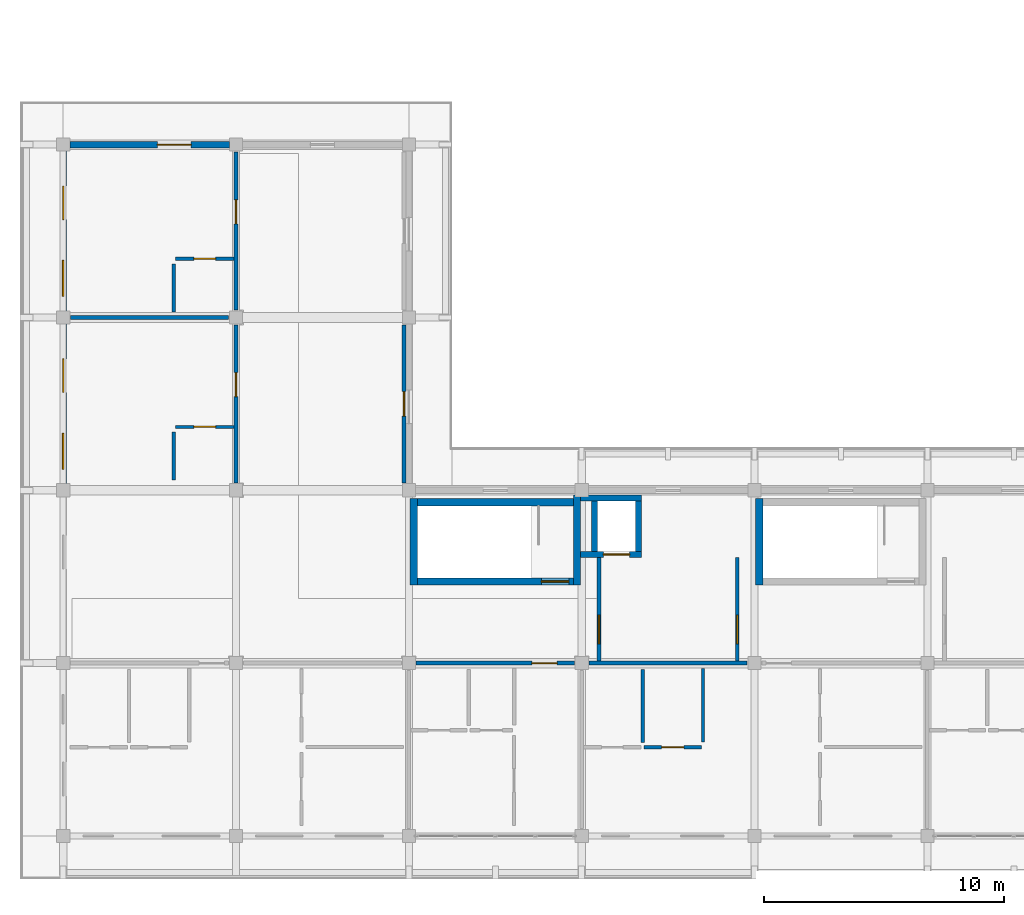
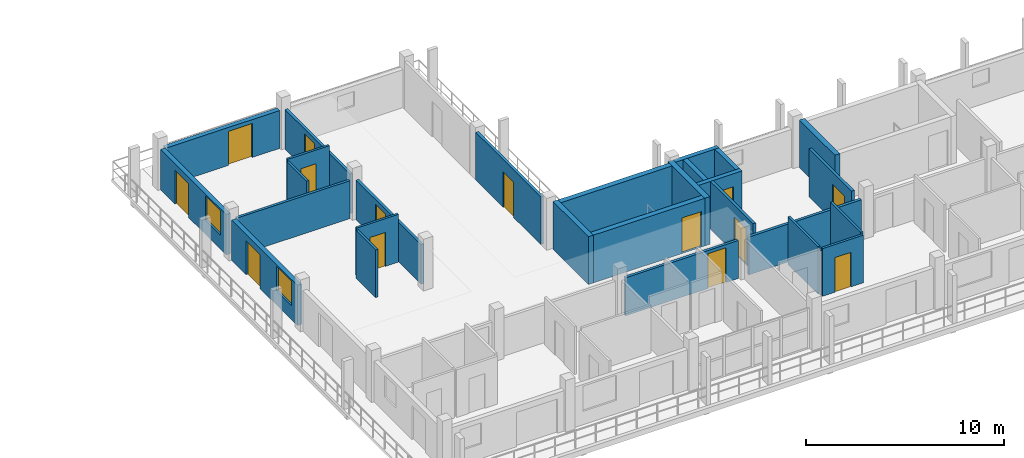
# One storey, part 35 of 65: 27 walls, 14 doors, 2 windows, 16 openings.
"""IFC4 building model written with IfcOpenShell, lengths in metres."""

from ifc_helpers import new_model, si_unit, direction, frame, frame_2d, origin, place, context, subcontext, project, spatial, rectangle, extrude, material, layer, layer_set, type_object, element, fill, save


model = new_model("IFC4")

# Units and contexts
model_context = context("Model", 3, precision=1e-05, world=origin(), true_north=direction((0.0, 1.0)))
body_context = subcontext(model_context, "Body", "Model", "MODEL_VIEW")
ifc_project = project(units=[si_unit("LENGTHUNIT", "METRE"), si_unit("AREAUNIT", "SQUARE_METRE"), si_unit("VOLUMEUNIT", "CUBIC_METRE"), si_unit("PLANEANGLEUNIT", "RADIAN"), si_unit("MASSUNIT", "GRAM", prefix="KILO")], contexts=[model_context])

# Site, building, storey
site_placement = place(None, origin())
site = spatial("IfcSite", under=ifc_project, at=site_placement, CompositionType="ELEMENT")
building_placement = place(site_placement, origin())
building = spatial("IfcBuilding", under=site, at=building_placement, Name="Suanplinth Sawtooth Commons", CompositionType="ELEMENT")
storey_placement = place(building_placement, frame((0.0, 0.0, 28.300048828125)))
storey = spatial("IfcBuildingStorey", under=building, at=storey_placement, Name="L08", CompositionType="ELEMENT", Elevation=28.300048828125)

# Wall, opening, door
ifc_material_1 = material(Name="Concrete C40/50", Category="concrete")
ifc_layer_1 = layer(ifc_material_1, 0.300048828125, Name="Standard RC stair and lift core wall 300mm")
ifc_layer_set_1 = layer_set([ifc_layer_1], Name="Concrete C40/50")
wall_type_1 = type_object("IfcWallType", Name="W-CR02", PredefinedType="SHEAR", material=ifc_layer_set_1)
wall_1_placement = place(storey_placement, frame((14.75, 10.60009765625, 0.0), z_axis=(0.0, 0.0, 1.0), x_axis=(1.0, 0.0, 0.0)))
wall_1 = element("IfcWall", 1, at=wall_1_placement, inside=storey, type_object=wall_type_1, Name="W-L08-C-D1-STS", PredefinedType="SHEAR", context=body_context, shape_type="SweptSolid", body=[
    extrude(rectangle(XDim=6.5, YDim=0.300048828125, at=frame_2d((3.25, 0.0))), origin(), (0.0, 0.0, 1.0), 2.949951171875),
])
opening_1_placement = place(wall_1_placement, frame((5.169921875, 0.0, 0.0)))
opening_1 = element("IfcOpeningElement", 2, at=opening_1_placement, cuts=wall_1, Name="Opening FD0393", PredefinedType="OPENING", context=body_context, shape_type="SweptSolid", body=[
    extrude(rectangle(XDim=1.14990234375, YDim=2.199951171875, at=frame_2d((0.574951171875, 1.10009765625))), frame((0.0, 0.1650390625, 0.0), z_axis=(0.0, -1.0, 0.0), x_axis=(1.0, 0.0, 0.0)), (0.0, 0.0, 1.0), 0.329833984375),
])
ifc_material_2 = material(Name="Teak hardwood fire-rated door assembly", Category="wood")
door_type_1 = type_object("IfcDoorType", Name="FD-01", OperationType="NOTDEFINED", PredefinedType="DOOR", material=ifc_material_2)
door_1_placement = place(opening_1_placement, origin())
door_1 = element("IfcDoor", 3, at=door_1_placement, inside=storey, type_object=door_type_1, Name="Exit Stair Fire Door FD0393", OperationType="SINGLE_SWING_LEFT", OverallHeight=2.199951171875, OverallWidth=1.14990234375, PredefinedType="DOOR", context=body_context, shape_type="SweptSolid", body=[
    extrude(rectangle(XDim=1.14990234375, YDim=2.199951171875, at=frame_2d((0.574951171875, 1.10009765625))), frame((0.0, 0.02490234375, 0.0), z_axis=(0.0, -1.0, 0.0), x_axis=(1.0, 0.0, 0.0)), (0.0, 0.0, 1.0), 0.050048828125),
])
fill(opening_1, door_1)

# Walls
wall_2_placement = place(storey_placement, frame((14.75, 13.89990234375, 0.0), z_axis=(0.0, 0.0, 1.0), x_axis=(1.0, 0.0, 0.0)))
element("IfcWall", 4, at=wall_2_placement, inside=storey, type_object=wall_type_1, Name="W-L08-C-D1-STN", PredefinedType="SHEAR", context=body_context, shape_type="SweptSolid", body=[
    extrude(rectangle(XDim=6.5, YDim=0.300048828125, at=frame_2d((3.25, 0.0))), origin(), (0.0, 0.0, 1.0), 2.949951171875),
])
wall_3_placement = place(storey_placement, frame((14.60009765625, 10.449951171875, 0.0), z_axis=(0.0, 0.0, 1.0), x_axis=(0.0, 1.0, 0.0)))
element("IfcWall", 5, at=wall_3_placement, inside=storey, type_object=wall_type_1, Name="W-L08-C-D1-STW", PredefinedType="SHEAR", context=body_context, shape_type="SweptSolid", body=[
    extrude(rectangle(XDim=3.60009765625, YDim=0.300048828125, at=frame_2d((1.800048828125, 0.0))), origin(), (0.0, 0.0, 1.0), 2.949951171875),
])
wall_4_placement = place(storey_placement, frame((21.39990234375, 10.449951171875, 0.0), z_axis=(0.0, 0.0, 1.0), x_axis=(0.0, 1.0, 0.0)))
element("IfcWall", 6, at=wall_4_placement, inside=storey, type_object=wall_type_1, Name="W-L08-C-D1-STE", PredefinedType="SHEAR", context=body_context, shape_type="SweptSolid", body=[
    extrude(rectangle(XDim=3.75, YDim=0.300048828125, at=frame_2d((1.875, 0.0))), origin(), (0.0, 0.0, 1.0), 2.949951171875),
])
wall_5_placement = place(storey_placement, frame((29.0, 10.449951171875, 0.0), z_axis=(0.0, 0.0, 1.0), x_axis=(0.0, 1.0, 0.0)))
element("IfcWall", 7, at=wall_5_placement, inside=storey, type_object=wall_type_1, Name="W-L08-C-D2-STW", PredefinedType="SHEAR", context=body_context, shape_type="SweptSolid", body=[
    extrude(rectangle(XDim=3.60009765625, YDim=0.300048828125, at=frame_2d((1.800048828125, 0.0))), origin(), (0.0, 0.0, 1.0), 2.949951171875),
])

# Wall, openings, door, window
ifc_material_3 = material(Name="Precast concrete C40/50", Category="concrete")
ifc_layer_2 = layer(ifc_material_3, 0.260009765625, Name="Insulated precast courtyard facade wall 260mm")
ifc_layer_set_2 = layer_set([ifc_layer_2], Name="Precast concrete C40/50")
wall_type_2 = type_object("IfcWallType", Name="W-EX02", PredefinedType="ELEMENTEDWALL", material=ifc_layer_set_2)
wall_6_placement = place(storey_placement, frame((0.0, 14.675048828125, 0.0), z_axis=(0.0, 0.0, 1.0), x_axis=(0.0, 1.0, 0.0)))
wall_6 = element("IfcWall", 8, at=wall_6_placement, inside=storey, type_object=wall_type_2, Name="Facade Wall W-L08-D-W-0-2", PredefinedType="ELEMENTEDWALL", context=body_context, shape_type="SweptSolid", body=[
    extrude(rectangle(XDim=6.64990234375, YDim=0.260009765625, at=frame_2d((3.324951171875, 0.0))), origin(), (0.0, 0.0, 1.0), 2.494873046875),
])
opening_2_placement = place(wall_6_placement, frame((3.800048828125, 0.0, 0.0)))
opening_2 = element("IfcOpeningElement", 9, at=opening_2_placement, cuts=wall_6, Name="Opening ED0677", PredefinedType="OPENING", context=body_context, shape_type="SweptSolid", body=[
    extrude(rectangle(XDim=1.39990234375, YDim=2.10009765625, at=frame_2d((0.699951171875, 1.050048828125))), frame((0.0, 0.14501953125, 0.0), z_axis=(0.0, -1.0, 0.0), x_axis=(1.0, 0.0, 0.0)), (0.0, 0.0, 1.0), 0.289794921875),
])
opening_3_placement = place(wall_6_placement, frame((0.60009765625, 0.0, 0.8798828125)))
opening_3 = element("IfcOpeningElement", 10, at=opening_3_placement, cuts=wall_6, Name="Opening W0758", PredefinedType="OPENING", context=body_context, shape_type="SweptSolid", body=[
    extrude(rectangle(XDim=1.5, YDim=1.5, at=frame_2d((0.75, 0.75))), frame((0.0, 0.14501953125, 0.0), z_axis=(0.0, -1.0, 0.0), x_axis=(1.0, 0.0, 0.0)), (0.0, 0.0, 1.0), 0.289794921875),
])
ifc_material_4 = material(Name="Anodized aluminium and low-E glass", Category="aluminium")
door_type_2 = type_object("IfcDoorType", Name="SD-07", OperationType="SLIDING_TO_RIGHT", PredefinedType="DOOR", material=ifc_material_4)
door_2_placement = place(opening_2_placement, frame((1.39990234375, 0.0, 0.0), z_axis=(0.0, 0.0, 1.0), x_axis=(-1.0, 0.0, 0.0)))
door_2 = element("IfcDoor", 11, at=door_2_placement, inside=storey, type_object=door_type_2, Name="Wing Balcony Sliding Door L08-D-2", OperationType="SLIDING_TO_RIGHT", OverallHeight=2.10009765625, OverallWidth=1.39990234375, PredefinedType="DOOR", context=body_context, shape_type="SweptSolid", body=[
    extrude(rectangle(XDim=1.39990234375, YDim=2.10009765625, at=frame_2d((0.699951171875, 1.050048828125))), frame((0.0, 0.02490234375, 0.0), z_axis=(0.0, -1.0, 0.0), x_axis=(1.0, 0.0, 0.0)), (0.0, 0.0, 1.0), 0.050048828125),
])
fill(opening_2, door_2)
ifc_material_5 = material(Name="Thermally broken aluminium and low-E double glazing", Category="aluminium")
window_type = type_object("IfcWindowType", Name="WN-02", PartitioningType="DOUBLE_PANEL_VERTICAL", PredefinedType="WINDOW", material=ifc_material_5)
window_1_placement = place(opening_3_placement, origin())
window_1 = element("IfcWindow", 12, at=window_1_placement, inside=storey, type_object=window_type, Name="Wing Window L08-D-2", OverallHeight=1.5, OverallWidth=1.5, PartitioningType="DOUBLE_PANEL_VERTICAL", PredefinedType="WINDOW", context=body_context, shape_type="SweptSolid", body=[
    extrude(rectangle(XDim=1.5, YDim=1.5, at=frame_2d((0.75, 0.75))), frame((0.0, 0.030029296875, 0.0), z_axis=(0.0, -1.0, 0.0), x_axis=(1.0, 0.0, 0.0)), (0.0, 0.0, 1.0), 0.06005859375),
])
fill(opening_3, window_1)

# Wall, opening, door
wall_7_placement = place(storey_placement, frame((0.27490234375, 28.800048828125, 0.0), z_axis=(0.0, 0.0, 1.0), x_axis=(1.0, 0.0, 0.0)))
wall_7 = element("IfcWall", 13, at=wall_7_placement, inside=storey, type_object=wall_type_2, Name="Facade Wall W-L08-D-N-0-3", PredefinedType="ELEMENTEDWALL", context=body_context, shape_type="SweptSolid", body=[
    extrude(rectangle(XDim=6.650146484375, YDim=0.260009765625, at=frame_2d((3.3251953125, 0.0))), origin(), (0.0, 0.0, 1.0), 2.344970703125),
])
opening_4_placement = place(wall_7_placement, frame((3.64990234375, 0.0, 0.0)))
opening_4 = element("IfcOpeningElement", 14, at=opening_4_placement, cuts=wall_7, Name="Opening ED0678", PredefinedType="OPENING", context=body_context, shape_type="SweptSolid", body=[
    extrude(rectangle(XDim=1.39990234375, YDim=2.10009765625, at=frame_2d((0.699951171875, 1.050048828125))), frame((0.0, 0.14501953125, 0.0), z_axis=(0.0, -1.0, 0.0), x_axis=(1.0, 0.0, 0.0)), (0.0, 0.0, 1.0), 0.289794921875),
])
door_3_placement = place(opening_4_placement, frame((1.39990234375, 0.0, 0.0), z_axis=(0.0, 0.0, 1.0), x_axis=(-1.0, 0.0, 0.0)))
door_3 = element("IfcDoor", 15, at=door_3_placement, inside=storey, type_object=door_type_2, Name="End Balcony Sliding Door L08-D-N-0-3", OperationType="SLIDING_TO_RIGHT", OverallHeight=2.10009765625, OverallWidth=1.39990234375, PredefinedType="DOOR", context=body_context, shape_type="SweptSolid", body=[
    extrude(rectangle(XDim=1.39990234375, YDim=2.10009765625, at=frame_2d((0.699951171875, 1.050048828125))), frame((0.0, 0.02490234375, 0.0), z_axis=(0.0, -1.0, 0.0), x_axis=(1.0, 0.0, 0.0)), (0.0, 0.0, 1.0), 0.050048828125),
])
fill(opening_4, door_3)

# Wall, openings, door, window
wall_8_placement = place(storey_placement, frame((0.0, 21.875, 0.0), z_axis=(0.0, 0.0, 1.0), x_axis=(0.0, 1.0, 0.0)))
wall_8 = element("IfcWall", 16, at=wall_8_placement, inside=storey, type_object=wall_type_2, Name="Facade Wall W-L08-D-W-0-3", PredefinedType="ELEMENTEDWALL", context=body_context, shape_type="SweptSolid", body=[
    extrude(rectangle(XDim=6.64990234375, YDim=0.260009765625, at=frame_2d((3.324951171875, 0.0))), origin(), (0.0, 0.0, 1.0), 2.494873046875),
])
opening_5_placement = place(wall_8_placement, frame((3.800048828125, 0.0, 0.0)))
opening_5 = element("IfcOpeningElement", 17, at=opening_5_placement, cuts=wall_8, Name="Opening ED0679", PredefinedType="OPENING", context=body_context, shape_type="SweptSolid", body=[
    extrude(rectangle(XDim=1.39990234375, YDim=2.10009765625, at=frame_2d((0.699951171875, 1.050048828125))), frame((0.0, 0.14501953125, 0.0), z_axis=(0.0, -1.0, 0.0), x_axis=(1.0, 0.0, 0.0)), (0.0, 0.0, 1.0), 0.289794921875),
])
opening_6_placement = place(wall_8_placement, frame((0.60009765625, 0.0, 0.8798828125)))
opening_6 = element("IfcOpeningElement", 18, at=opening_6_placement, cuts=wall_8, Name="Opening W0759", PredefinedType="OPENING", context=body_context, shape_type="SweptSolid", body=[
    extrude(rectangle(XDim=1.5, YDim=1.5, at=frame_2d((0.75, 0.75))), frame((0.0, 0.14501953125, 0.0), z_axis=(0.0, -1.0, 0.0), x_axis=(1.0, 0.0, 0.0)), (0.0, 0.0, 1.0), 0.289794921875),
])
door_4_placement = place(opening_5_placement, frame((1.39990234375, 0.0, 0.0), z_axis=(0.0, 0.0, 1.0), x_axis=(-1.0, 0.0, 0.0)))
door_4 = element("IfcDoor", 19, at=door_4_placement, inside=storey, type_object=door_type_2, Name="Wing Balcony Sliding Door L08-D-3", OperationType="SLIDING_TO_RIGHT", OverallHeight=2.10009765625, OverallWidth=1.39990234375, PredefinedType="DOOR", context=body_context, shape_type="SweptSolid", body=[
    extrude(rectangle(XDim=1.39990234375, YDim=2.10009765625, at=frame_2d((0.699951171875, 1.050048828125))), frame((0.0, 0.02490234375, 0.0), z_axis=(0.0, -1.0, 0.0), x_axis=(1.0, 0.0, 0.0)), (0.0, 0.0, 1.0), 0.050048828125),
])
fill(opening_5, door_4)
window_2_placement = place(opening_6_placement, origin())
window_2 = element("IfcWindow", 20, at=window_2_placement, inside=storey, type_object=window_type, Name="Wing Window L08-D-3", OverallHeight=1.5, OverallWidth=1.5, PartitioningType="DOUBLE_PANEL_VERTICAL", PredefinedType="WINDOW", context=body_context, shape_type="SweptSolid", body=[
    extrude(rectangle(XDim=1.5, YDim=1.5, at=frame_2d((0.75, 0.75))), frame((0.0, 0.030029296875, 0.0), z_axis=(0.0, -1.0, 0.0), x_axis=(1.0, 0.0, 0.0)), (0.0, 0.0, 1.0), 0.06005859375),
])
fill(opening_6, window_2)

# Wall, opening, door
ifc_layer_3 = layer(ifc_material_3, 0.159912109375, Name="Fire-rated corridor and lobby wall 160mm")
ifc_layer_set_3 = layer_set([ifc_layer_3], Name="Precast concrete C40/50")
wall_type_3 = type_object("IfcWallType", Name="W-FW01", PredefinedType="PARTITIONING", material=ifc_layer_set_3)
wall_9_placement = place(storey_placement, frame((22.320068359375, 7.280029296875, 0.0), z_axis=(0.0, 0.0, 1.0), x_axis=(0.0, 1.0, 0.0)))
wall_9 = element("IfcWall", 21, at=wall_9_placement, inside=storey, type_object=wall_type_3, Name="W-L08-C-D1-LOB-W", PredefinedType="PARTITIONING", context=body_context, shape_type="SweptSolid", body=[
    extrude(rectangle(XDim=4.320068359375, YDim=0.159912109375, at=frame_2d((2.16015625, 0.0))), origin(), (0.0, 0.0, 1.0), 2.949951171875),
])
opening_7_placement = place(wall_9_placement, frame((0.719970703125, 0.0, 0.0)))
opening_7 = element("IfcOpeningElement", 22, at=opening_7_placement, cuts=wall_9, Name="Opening FD0394", PredefinedType="OPENING", context=body_context, shape_type="SweptSolid", body=[
    extrude(rectangle(XDim=1.199951171875, YDim=2.199951171875, at=frame_2d((0.60009765625, 1.10009765625))), frame((0.0, 0.0947265625, 0.0), z_axis=(0.0, -1.0, 0.0), x_axis=(1.0, 0.0, 0.0)), (0.0, 0.0, 1.0), 0.189697265625),
])
door_type_3 = type_object("IfcDoorType", Name="FD-02", OperationType="NOTDEFINED", PredefinedType="DOOR", material=ifc_material_2)
door_5_placement = place(opening_7_placement, origin())
door_5 = element("IfcDoor", 23, at=door_5_placement, inside=storey, type_object=door_type_3, Name="Lobby Fire Door FD0394", OperationType="SINGLE_SWING_RIGHT", OverallHeight=2.199951171875, OverallWidth=1.199951171875, PredefinedType="DOOR", context=body_context, shape_type="SweptSolid", body=[
    extrude(rectangle(XDim=1.199951171875, YDim=2.199951171875, at=frame_2d((0.60009765625, 1.10009765625))), frame((0.0, 0.02490234375, 0.0), z_axis=(0.0, -1.0, 0.0), x_axis=(1.0, 0.0, 0.0)), (0.0, 0.0, 1.0), 0.050048828125),
])
fill(opening_7, door_5)

wall_10_placement = place(storey_placement, frame((28.080078125, 7.280029296875, 0.0), z_axis=(0.0, 0.0, 1.0), x_axis=(0.0, 1.0, 0.0)))
wall_10 = element("IfcWall", 24, at=wall_10_placement, inside=storey, type_object=wall_type_3, Name="W-L08-C-D1-LOB-E", PredefinedType="PARTITIONING", context=body_context, shape_type="SweptSolid", body=[
    extrude(rectangle(XDim=4.320068359375, YDim=0.159912109375, at=frame_2d((2.16015625, 0.0))), origin(), (0.0, 0.0, 1.0), 2.949951171875),
])
opening_8_placement = place(wall_10_placement, frame((0.719970703125, 0.0, 0.0)))
opening_8 = element("IfcOpeningElement", 25, at=opening_8_placement, cuts=wall_10, Name="Opening FD0395", PredefinedType="OPENING", context=body_context, shape_type="SweptSolid", body=[
    extrude(rectangle(XDim=1.199951171875, YDim=2.199951171875, at=frame_2d((0.60009765625, 1.10009765625))), frame((0.0, 0.0947265625, 0.0), z_axis=(0.0, -1.0, 0.0), x_axis=(1.0, 0.0, 0.0)), (0.0, 0.0, 1.0), 0.189697265625),
])
door_6_placement = place(opening_8_placement, frame((1.199951171875, 0.0, 0.0), z_axis=(0.0, 0.0, 1.0), x_axis=(-1.0, 0.0, 0.0)))
door_6 = element("IfcDoor", 26, at=door_6_placement, inside=storey, type_object=door_type_3, Name="Lobby Fire Door FD0395", OperationType="SINGLE_SWING_LEFT", OverallHeight=2.199951171875, OverallWidth=1.199951171875, PredefinedType="DOOR", context=body_context, shape_type="SweptSolid", body=[
    extrude(rectangle(XDim=1.199951171875, YDim=2.199951171875, at=frame_2d((0.60009765625, 1.10009765625))), frame((0.0, 0.02490234375, 0.0), z_axis=(0.0, -1.0, 0.0), x_axis=(1.0, 0.0, 0.0)), (0.0, 0.0, 1.0), 0.050048828125),
])
fill(opening_8, door_6)

wall_11_placement = place(storey_placement, frame((14.705078125, 7.199951171875, 0.0), z_axis=(0.0, 0.0, 1.0), x_axis=(1.0, 0.0, 0.0)))
wall_11 = element("IfcWall", 27, at=wall_11_placement, inside=storey, type_object=wall_type_3, Name="W-D-L08-U02-COR", PredefinedType="PARTITIONING", context=body_context, shape_type="SweptSolid", body=[
    extrude(rectangle(XDim=6.58984375, YDim=0.159912109375, at=frame_2d((3.294921875, 0.0))), origin(), (0.0, 0.0, 1.0), 2.344970703125),
])
opening_9_placement = place(wall_11_placement, frame((4.820068359375, 0.0, 0.0)))
opening_9 = element("IfcOpeningElement", 28, at=opening_9_placement, cuts=wall_11, Name="Opening FD1734", PredefinedType="OPENING", context=body_context, shape_type="SweptSolid", body=[
    extrude(rectangle(XDim=1.050048828125, YDim=2.14990234375, at=frame_2d((0.52490234375, 1.074951171875))), frame((0.0, 0.0947265625, 0.0), z_axis=(0.0, -1.0, 0.0), x_axis=(1.0, 0.0, 0.0)), (0.0, 0.0, 1.0), 0.189697265625),
])
door_type_4 = type_object("IfcDoorType", Name="FD-04", OperationType="NOTDEFINED", PredefinedType="DOOR", material=ifc_material_2)
door_7_placement = place(opening_9_placement, frame((1.050048828125, 0.0, 0.0), z_axis=(0.0, 0.0, 1.0), x_axis=(-1.0, 0.0, 0.0)))
door_7 = element("IfcDoor", 29, at=door_7_placement, inside=storey, type_object=door_type_4, Name="Unit Entrance Door FD1734", OperationType="SINGLE_SWING_RIGHT", OverallHeight=2.14990234375, OverallWidth=1.050048828125, PredefinedType="DOOR", context=body_context, shape_type="SweptSolid", body=[
    extrude(rectangle(XDim=1.050048828125, YDim=2.14990234375, at=frame_2d((0.52490234375, 1.074951171875))), frame((0.0, 0.02490234375, 0.0), z_axis=(0.0, -1.0, 0.0), x_axis=(1.0, 0.0, 0.0)), (0.0, 0.0, 1.0), 0.050048828125),
])
fill(opening_9, door_7)

# Wall
wall_12_placement = place(storey_placement, frame((21.905029296875, 7.199951171875, 0.0), z_axis=(0.0, 0.0, 1.0), x_axis=(1.0, 0.0, 0.0)))
element("IfcWall", 30, at=wall_12_placement, inside=storey, type_object=wall_type_3, Name="W-D-L08-U03-COR-S1", PredefinedType="PARTITIONING", context=body_context, shape_type="SweptSolid", body=[
    extrude(rectangle(XDim=6.590087890625, YDim=0.159912109375, at=frame_2d((3.294921875, 0.0))), origin(), (0.0, 0.0, 1.0), 2.344970703125),
])

# Wall, opening, door
wall_13_placement = place(storey_placement, frame((7.199951171875, 14.705078125, 0.0), z_axis=(0.0, 0.0, 1.0), x_axis=(0.0, 1.0, 0.0)))
wall_13 = element("IfcWall", 31, at=wall_13_placement, inside=storey, type_object=wall_type_3, Name="W-D-L08-L01-COR", PredefinedType="PARTITIONING", context=body_context, shape_type="SweptSolid", body=[
    extrude(rectangle(XDim=6.58984375, YDim=0.159912109375, at=frame_2d((3.294921875, 0.0))), origin(), (0.0, 0.0, 1.0), 2.445068359375),
])
opening_10_placement = place(wall_13_placement, frame((3.594970703125, 0.0, 0.0)))
opening_10 = element("IfcOpeningElement", 32, at=opening_10_placement, cuts=wall_13, Name="Opening FD1751", PredefinedType="OPENING", context=body_context, shape_type="SweptSolid", body=[
    extrude(rectangle(XDim=1.0, YDim=2.14990234375, at=frame_2d((0.5, 1.074951171875))), frame((0.0, 0.0947265625, 0.0), z_axis=(0.0, -1.0, 0.0), x_axis=(1.0, 0.0, 0.0)), (0.0, 0.0, 1.0), 0.189697265625),
])
door_type_5 = type_object("IfcDoorType", Name="FD-03", OperationType="NOTDEFINED", PredefinedType="DOOR", material=ifc_material_2)
door_8_placement = place(opening_10_placement, origin())
door_8 = element("IfcDoor", 33, at=door_8_placement, inside=storey, type_object=door_type_5, Name="Wing Unit Entrance Door FD1751", OperationType="SINGLE_SWING_LEFT", OverallHeight=2.14990234375, OverallWidth=1.0, PredefinedType="DOOR", context=body_context, shape_type="SweptSolid", body=[
    extrude(rectangle(XDim=1.0, YDim=2.14990234375, at=frame_2d((0.5, 1.074951171875))), frame((0.0, 0.02490234375, 0.0), z_axis=(0.0, -1.0, 0.0), x_axis=(1.0, 0.0, 0.0)), (0.0, 0.0, 1.0), 0.050048828125),
])
fill(opening_10, door_8)

wall_14_placement = place(storey_placement, frame((14.199951171875, 14.705078125, 0.0), z_axis=(0.0, 0.0, 1.0), x_axis=(0.0, 1.0, 0.0)))
wall_14 = element("IfcWall", 34, at=wall_14_placement, inside=storey, type_object=wall_type_3, Name="W-D-L08-LEGCOURTROOM-47-COR", PredefinedType="PARTITIONING", context=body_context, shape_type="SweptSolid", body=[
    extrude(rectangle(XDim=6.58984375, YDim=0.159912109375, at=frame_2d((3.294921875, 0.0))), origin(), (0.0, 0.0, 1.0), 2.949951171875),
])
opening_11_placement = place(wall_14_placement, frame((2.784912109375, 0.0, 0.0)))
opening_11 = element("IfcOpeningElement", 35, at=opening_11_placement, cuts=wall_14, Name="Opening D1753", PredefinedType="OPENING", context=body_context, shape_type="SweptSolid", body=[
    extrude(rectangle(XDim=1.02001953125, YDim=2.179931640625, at=frame_2d((0.510009765625, 1.08984375))), frame((0.0, 0.0947265625, 0.0), z_axis=(0.0, -1.0, 0.0), x_axis=(1.0, 0.0, 0.0)), (0.0, 0.0, 1.0), 0.189697265625),
])
ifc_material_6 = material(Name="Teak hardwood", Category="wood")
door_type_6 = type_object("IfcDoorType", Name="D-16", OperationType="NOTDEFINED", PredefinedType="DOOR", material=ifc_material_6)
door_9_placement = place(opening_11_placement, frame((1.02001953125, 0.0, 0.0), z_axis=(0.0, 0.0, 1.0), x_axis=(-1.0, 0.0, 0.0)))
door_9 = element("IfcDoor", 36, at=door_9_placement, inside=storey, type_object=door_type_6, Name="Veranda Studio Door D1753", OperationType="SINGLE_SWING_LEFT", OverallHeight=2.179931640625, OverallWidth=1.02001953125, PredefinedType="DOOR", context=body_context, shape_type="SweptSolid", body=[
    extrude(rectangle(XDim=1.02001953125, YDim=2.179931640625, at=frame_2d((0.510009765625, 1.08984375))), frame((0.0, 0.02490234375, 0.0), z_axis=(0.0, -1.0, 0.0), x_axis=(1.0, 0.0, 0.0)), (0.0, 0.0, 1.0), 0.050048828125),
])
fill(opening_11, door_9)

wall_15_placement = place(storey_placement, frame((7.199951171875, 21.905029296875, 0.0), z_axis=(0.0, 0.0, 1.0), x_axis=(0.0, 1.0, 0.0)))
wall_15 = element("IfcWall", 37, at=wall_15_placement, inside=storey, type_object=wall_type_3, Name="W-D-L08-L02-COR", PredefinedType="PARTITIONING", context=body_context, shape_type="SweptSolid", body=[
    extrude(rectangle(XDim=6.590087890625, YDim=0.159912109375, at=frame_2d((3.294921875, 0.0))), origin(), (0.0, 0.0, 1.0), 2.445068359375),
])
opening_12_placement = place(wall_15_placement, frame((3.594970703125, 0.0, 0.0)))
opening_12 = element("IfcOpeningElement", 38, at=opening_12_placement, cuts=wall_15, Name="Opening FD1754", PredefinedType="OPENING", context=body_context, shape_type="SweptSolid", body=[
    extrude(rectangle(XDim=1.0, YDim=2.14990234375, at=frame_2d((0.5, 1.074951171875))), frame((0.0, 0.0947265625, 0.0), z_axis=(0.0, -1.0, 0.0), x_axis=(1.0, 0.0, 0.0)), (0.0, 0.0, 1.0), 0.189697265625),
])
door_10_placement = place(opening_12_placement, origin())
door_10 = element("IfcDoor", 39, at=door_10_placement, inside=storey, type_object=door_type_5, Name="Wing Unit Entrance Door FD1754", OperationType="SINGLE_SWING_RIGHT", OverallHeight=2.14990234375, OverallWidth=1.0, PredefinedType="DOOR", context=body_context, shape_type="SweptSolid", body=[
    extrude(rectangle(XDim=1.0, YDim=2.14990234375, at=frame_2d((0.5, 1.074951171875))), frame((0.0, 0.02490234375, 0.0), z_axis=(0.0, -1.0, 0.0), x_axis=(1.0, 0.0, 0.0)), (0.0, 0.0, 1.0), 0.050048828125),
])
fill(opening_12, door_10)

# Wall
ifc_layer_4 = layer(ifc_material_3, 0.14990234375, Name="Acoustic precast party demising wall 150mm")
ifc_layer_set_4 = layer_set([ifc_layer_4], Name="Precast concrete C40/50")
wall_type_4 = type_object("IfcWallType", Name="W-FW02", PredefinedType="PARTITIONING", material=ifc_layer_set_4)
wall_16_placement = place(storey_placement, frame((0.304931640625, 21.60009765625, 0.0), z_axis=(0.0, 0.0, 1.0), x_axis=(1.0, 0.0, 0.0)))
element("IfcWall", 40, at=wall_16_placement, inside=storey, type_object=wall_type_4, Name="W-D-L08-L01-PTY", PredefinedType="PARTITIONING", context=body_context, shape_type="SweptSolid", body=[
    extrude(rectangle(XDim=6.590087890625, YDim=0.14990234375, at=frame_2d((3.294921875, 0.0))), origin(), (0.0, 0.0, 1.0), 2.344970703125),
])

# Wall, opening, door
ifc_material_7 = material(Name="Gypsum plasterboard on steel stud", Category="steel")
ifc_layer_5 = layer(ifc_material_7, 0.139892578125, Name="Fire-rated kitchen partition 140mm")
ifc_layer_set_5 = layer_set([ifc_layer_5], Name="Gypsum plasterboard on steel stud")
wall_type_5 = type_object("IfcWallType", Name="W-PT01", PredefinedType="PARTITIONING", material=ifc_layer_set_5)
wall_17_placement = place(storey_placement, frame((24.199951171875, 3.68994140625, 0.0), z_axis=(0.0, 0.0, 1.0), x_axis=(1.0, 0.0, 0.0)))
wall_17 = element("IfcWall", 41, at=wall_17_placement, inside=storey, type_object=wall_type_5, Name="W-D-L08-U03-KIT1", PredefinedType="PARTITIONING", context=body_context, shape_type="SweptSolid", body=[
    extrude(rectangle(XDim=2.380126953125, YDim=0.139892578125, at=frame_2d((1.18994140625, 0.0))), origin(), (0.0, 0.0, 1.0), 2.949951171875),
])
opening_13_placement = place(wall_17_placement, frame((0.72509765625, 0.0, 0.0)))
opening_13 = element("IfcOpeningElement", 42, at=opening_13_placement, cuts=wall_17, Name="Opening D1740", PredefinedType="OPENING", context=body_context, shape_type="SweptSolid", body=[
    extrude(rectangle(XDim=0.929931640625, YDim=2.139892578125, at=frame_2d((0.46484375, 1.06982421875))), frame((0.0, 0.0849609375, 0.0), z_axis=(0.0, -1.0, 0.0), x_axis=(1.0, 0.0, 0.0)), (0.0, 0.0, 1.0), 0.169677734375),
])
door_type_7 = type_object("IfcDoorType", Name="D-19", OperationType="NOTDEFINED", PredefinedType="DOOR", material=ifc_material_6)
door_11_placement = place(opening_13_placement, origin())
door_11 = element("IfcDoor", 43, at=door_11_placement, inside=storey, type_object=door_type_7, Name="Kitchen Door D1740", OperationType="SINGLE_SWING_RIGHT", OverallHeight=2.139892578125, OverallWidth=0.929931640625, PredefinedType="DOOR", context=body_context, shape_type="SweptSolid", body=[
    extrude(rectangle(XDim=0.929931640625, YDim=2.139892578125, at=frame_2d((0.46484375, 1.06982421875))), frame((0.0, 0.02490234375, 0.0), z_axis=(0.0, -1.0, 0.0), x_axis=(1.0, 0.0, 0.0)), (0.0, 0.0, 1.0), 0.050048828125),
])
fill(opening_13, door_11)

# Walls
wall_18_placement = place(storey_placement, frame((26.64990234375, 3.909912109375, 0.0), z_axis=(0.0, 0.0, 1.0), x_axis=(0.0, 1.0, 0.0)))
element("IfcWall", 44, at=wall_18_placement, inside=storey, type_object=wall_type_5, Name="W-D-L08-U03-KIT2", PredefinedType="PARTITIONING", context=body_context, shape_type="SweptSolid", body=[
    extrude(rectangle(XDim=3.06005859375, YDim=0.139892578125, at=frame_2d((1.530029296875, 0.0))), origin(), (0.0, 0.0, 1.0), 2.949951171875),
])
ifc_layer_6 = layer(ifc_material_7, 0.1298828125, Name="Moisture-resistant bathroom partition 130mm")
ifc_layer_set_6 = layer_set([ifc_layer_6], Name="Gypsum plasterboard on steel stud")
wall_type_6 = type_object("IfcWallType", Name="W-PT02", PredefinedType="PARTITIONING", material=ifc_layer_set_6)
wall_19_placement = place(storey_placement, frame((24.14501953125, 3.89990234375, 0.0), z_axis=(0.0, 0.0, 1.0), x_axis=(0.0, 1.0, 0.0)))
element("IfcWall", 45, at=wall_19_placement, inside=storey, type_object=wall_type_6, Name="W-D-L08-U03-BTH2", PredefinedType="PARTITIONING", context=body_context, shape_type="SweptSolid", body=[
    extrude(rectangle(XDim=3.0400390625, YDim=0.1298828125, at=frame_2d((1.52001953125, 0.0))), origin(), (0.0, 0.0, 1.0), 2.949951171875),
])

# Wall, opening, door
wall_20_placement = place(storey_placement, frame((4.669921875, 17.044921875, 0.0), z_axis=(0.0, 0.0, 1.0), x_axis=(1.0, 0.0, 0.0)))
wall_20 = element("IfcWall", 46, at=wall_20_placement, inside=storey, type_object=wall_type_6, Name="W-D-L08-L01-BTH1", PredefinedType="PARTITIONING", context=body_context, shape_type="SweptSolid", body=[
    extrude(rectangle(XDim=2.4501953125, YDim=0.1298828125, at=frame_2d((1.22509765625, 0.0))), origin(), (0.0, 0.0, 1.0), 2.949951171875),
])
opening_14_placement = place(wall_20_placement, frame((0.77490234375, 0.0, 0.0)))
opening_14 = element("IfcOpeningElement", 47, at=opening_14_placement, cuts=wall_20, Name="Opening D1752", PredefinedType="OPENING", context=body_context, shape_type="SweptSolid", body=[
    extrude(rectangle(XDim=0.89990234375, YDim=2.10009765625, at=frame_2d((0.449951171875, 1.050048828125))), frame((0.0, 0.079833984375, 0.0), z_axis=(0.0, -1.0, 0.0), x_axis=(1.0, 0.0, 0.0)), (0.0, 0.0, 1.0), 0.15966796875),
])
door_type_8 = type_object("IfcDoorType", Name="D-01", OperationType="NOTDEFINED", PredefinedType="DOOR", material=ifc_material_6)
door_12_placement = place(opening_14_placement, frame((0.89990234375, 0.0, 0.0), z_axis=(0.0, 0.0, 1.0), x_axis=(-1.0, 0.0, 0.0)))
door_12 = element("IfcDoor", 48, at=door_12_placement, inside=storey, type_object=door_type_8, Name="Bathroom Door D1752", OperationType="SINGLE_SWING_RIGHT", OverallHeight=2.10009765625, OverallWidth=0.89990234375, PredefinedType="DOOR", context=body_context, shape_type="SweptSolid", body=[
    extrude(rectangle(XDim=0.89990234375, YDim=2.10009765625, at=frame_2d((0.449951171875, 1.050048828125))), frame((0.0, 0.02490234375, 0.0), z_axis=(0.0, -1.0, 0.0), x_axis=(1.0, 0.0, 0.0)), (0.0, 0.0, 1.0), 0.050048828125),
])
fill(opening_14, door_12)

# Wall
wall_21_placement = place(storey_placement, frame((4.60498046875, 14.830078125, 0.0), z_axis=(0.0, 0.0, 1.0), x_axis=(0.0, 1.0, 0.0)))
element("IfcWall", 49, at=wall_21_placement, inside=storey, type_object=wall_type_6, Name="W-D-L08-L01-BTH2", PredefinedType="PARTITIONING", context=body_context, shape_type="SweptSolid", body=[
    extrude(rectangle(XDim=2.0, YDim=0.1298828125, at=frame_2d((1.0, 0.0))), origin(), (0.0, 0.0, 1.0), 2.949951171875),
])

# Wall, opening, door
wall_22_placement = place(storey_placement, frame((4.669921875, 24.044921875, 0.0), z_axis=(0.0, 0.0, 1.0), x_axis=(1.0, 0.0, 0.0)))
wall_22 = element("IfcWall", 50, at=wall_22_placement, inside=storey, type_object=wall_type_6, Name="W-D-L08-L02-BTH1", PredefinedType="PARTITIONING", context=body_context, shape_type="SweptSolid", body=[
    extrude(rectangle(XDim=2.4501953125, YDim=0.1298828125, at=frame_2d((1.22509765625, 0.0))), origin(), (0.0, 0.0, 1.0), 2.949951171875),
])
opening_15_placement = place(wall_22_placement, frame((0.77490234375, 0.0, 0.0)))
opening_15 = element("IfcOpeningElement", 51, at=opening_15_placement, cuts=wall_22, Name="Opening D1755", PredefinedType="OPENING", context=body_context, shape_type="SweptSolid", body=[
    extrude(rectangle(XDim=0.89990234375, YDim=2.10009765625, at=frame_2d((0.449951171875, 1.050048828125))), frame((0.0, 0.079833984375, 0.0), z_axis=(0.0, -1.0, 0.0), x_axis=(1.0, 0.0, 0.0)), (0.0, 0.0, 1.0), 0.15966796875),
])
door_13_placement = place(opening_15_placement, frame((0.89990234375, 0.0, 0.0), z_axis=(0.0, 0.0, 1.0), x_axis=(-1.0, 0.0, 0.0)))
door_13 = element("IfcDoor", 52, at=door_13_placement, inside=storey, type_object=door_type_8, Name="Bathroom Door D1755", OperationType="SINGLE_SWING_LEFT", OverallHeight=2.10009765625, OverallWidth=0.89990234375, PredefinedType="DOOR", context=body_context, shape_type="SweptSolid", body=[
    extrude(rectangle(XDim=0.89990234375, YDim=2.10009765625, at=frame_2d((0.449951171875, 1.050048828125))), frame((0.0, 0.02490234375, 0.0), z_axis=(0.0, -1.0, 0.0), x_axis=(1.0, 0.0, 0.0)), (0.0, 0.0, 1.0), 0.050048828125),
])
fill(opening_15, door_13)

# Wall
wall_23_placement = place(storey_placement, frame((4.60498046875, 21.830078125, 0.0), z_axis=(0.0, 0.0, 1.0), x_axis=(0.0, 1.0, 0.0)))
element("IfcWall", 53, at=wall_23_placement, inside=storey, type_object=wall_type_6, Name="W-D-L08-L02-BTH2", PredefinedType="PARTITIONING", context=body_context, shape_type="SweptSolid", body=[
    extrude(rectangle(XDim=2.0, YDim=0.1298828125, at=frame_2d((1.0, 0.0))), origin(), (0.0, 0.0, 1.0), 2.949951171875),
])

# Wall, opening, door
ifc_layer_7 = layer(ifc_material_3, 0.25, Name="Precast structural shear wall 250mm")
ifc_layer_set_7 = layer_set([ifc_layer_7], Name="Precast concrete C40/50")
wall_type_7 = type_object("IfcWallType", Name="W-SH01", PredefinedType="SHEAR", material=ifc_layer_set_7)
wall_24_placement = place(storey_placement, frame((21.550048828125, 11.72509765625, 0.0), z_axis=(0.0, 0.0, 1.0), x_axis=(1.0, 0.0, 0.0)))
wall_24 = element("IfcWall", 54, at=wall_24_placement, inside=storey, type_object=wall_type_7, Name="W-L08-LF6-S", PredefinedType="SHEAR", context=body_context, shape_type="SweptSolid", body=[
    extrude(rectangle(XDim=2.550048828125, YDim=0.25, at=frame_2d((1.27490234375, 0.0))), origin(), (0.0, 0.0, 1.0), 2.949951171875),
])
opening_16_placement = place(wall_24_placement, frame((0.949951171875, 0.0, 0.0)))
opening_16 = element("IfcOpeningElement", 55, at=opening_16_placement, cuts=wall_24, Name="Opening LD0396", PredefinedType="OPENING", context=body_context, shape_type="SweptSolid", body=[
    extrude(rectangle(XDim=1.10009765625, YDim=2.14990234375, at=frame_2d((0.550048828125, 1.074951171875))), frame((0.0, 0.139892578125, 0.0), z_axis=(0.0, -1.0, 0.0), x_axis=(1.0, 0.0, 0.0)), (0.0, 0.0, 1.0), 0.27978515625),
])
ifc_material_8 = material(Name="Stainless steel Grade 304", Category="steel")
door_type_9 = type_object("IfcDoorType", Name="LD-01", OperationType="SLIDING_TO_LEFT", PredefinedType="DOOR", material=ifc_material_8)
door_14_placement = place(opening_16_placement, frame((1.10009765625, 0.0, 0.0), z_axis=(0.0, 0.0, 1.0), x_axis=(-1.0, 0.0, 0.0)))
door_14 = element("IfcDoor", 56, at=door_14_placement, inside=storey, type_object=door_type_9, Name="Lift Landing Sliding Door LF6 L08", OperationType="SLIDING_TO_LEFT", OverallHeight=2.14990234375, OverallWidth=1.10009765625, PredefinedType="DOOR", context=body_context, shape_type="SweptSolid", body=[
    extrude(rectangle(XDim=1.10009765625, YDim=2.14990234375, at=frame_2d((0.550048828125, 1.074951171875))), frame((0.0, 0.02490234375, 0.0), z_axis=(0.0, -1.0, 0.0), x_axis=(1.0, 0.0, 0.0)), (0.0, 0.0, 1.0), 0.050048828125),
])
fill(opening_16, door_14)

# Walls
wall_25_placement = place(storey_placement, frame((21.550048828125, 14.074951171875, 0.0), z_axis=(0.0, 0.0, 1.0), x_axis=(1.0, 0.0, 0.0)))
element("IfcWall", 57, at=wall_25_placement, inside=storey, type_object=wall_type_7, Name="W-L08-LF6-N", PredefinedType="SHEAR", context=body_context, shape_type="SweptSolid", body=[
    extrude(rectangle(XDim=2.550048828125, YDim=0.25, at=frame_2d((1.27490234375, 0.0))), origin(), (0.0, 0.0, 1.0), 2.949951171875),
])
for number, where, z_axis, x_axis, name in (
    (58, (22.125, 11.85009765625, 0.0), (0.0, 0.0, 1.0), (0.0, 1.0, 0.0), "W-L08-LF6-W"),
    (59, (23.97509765625, 11.85009765625, 0.0), (0.0, 0.0, 1.0), (0.0, 1.0, 0.0), "W-L08-LF6-E"),
):
    element("IfcWall", number, at=place(storey_placement, frame(where, z_axis=z_axis, x_axis=x_axis)), inside=storey, type_object=wall_type_7, Name=name, PredefinedType="SHEAR", context=body_context, shape_type="SweptSolid", body=[
        extrude(rectangle(XDim=2.099853515625, YDim=0.25, at=frame_2d((1.0498046875, 0.0))), origin(), (0.0, 0.0, 1.0), 2.949951171875),
    ])

save(model, "model.ifc")
